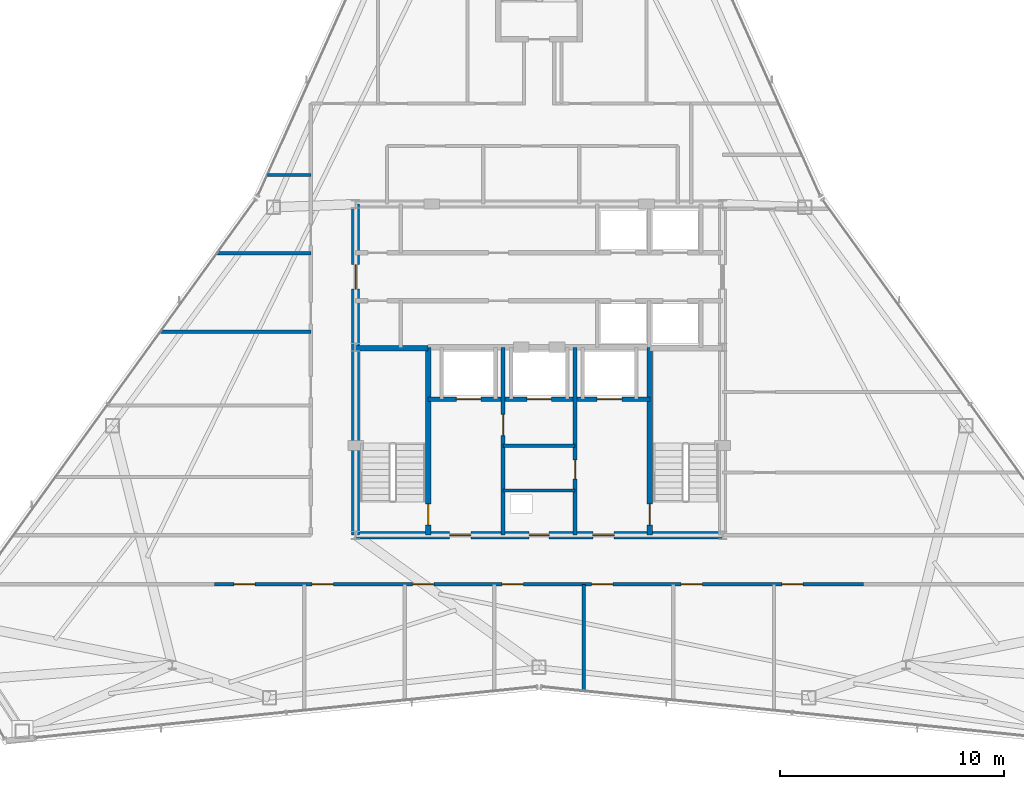
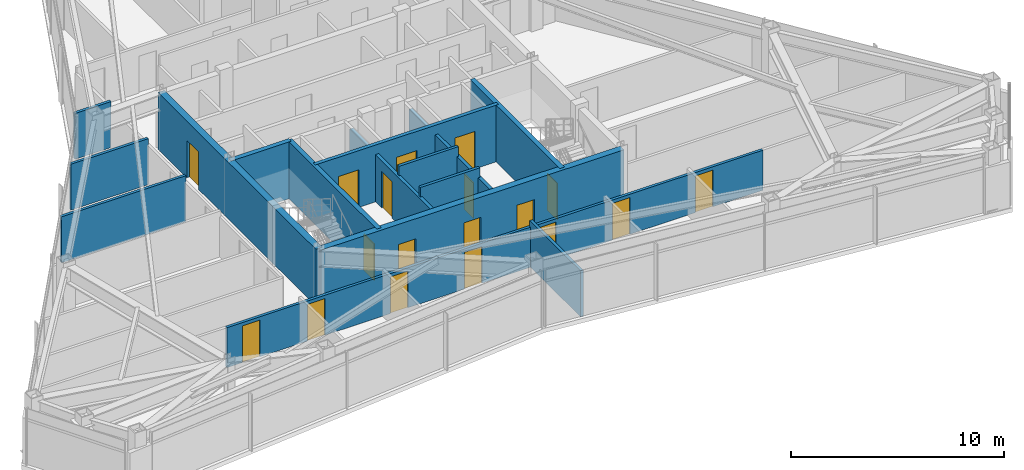
# One storey, part 9 of 12: 18 doors, 15 walls, 18 openings.
"""IFC4 building model written with IfcOpenShell, lengths in metres."""

from ifc_helpers import new_model, si_unit, direction, frame, frame_2d, origin, place, context, subcontext, project, spatial, rectangle, extrude, material, layer, layer_set, type_object, element, fill, save


model = new_model("IFC4")

# Units and contexts
model_context = context("Model", 3, precision=1e-05, world=origin(), true_north=direction((0.0, 1.0)))
body_context = subcontext(model_context, "Body", "Model", "MODEL_VIEW")
ifc_project = project(units=[si_unit("LENGTHUNIT", "METRE"), si_unit("AREAUNIT", "SQUARE_METRE"), si_unit("VOLUMEUNIT", "CUBIC_METRE"), si_unit("PLANEANGLEUNIT", "RADIAN"), si_unit("MASSUNIT", "GRAM", prefix="KILO")], contexts=[model_context])

# Site, building, storey
site_placement = place(None, origin())
site = spatial("IfcSite", under=ifc_project, at=site_placement, CompositionType="ELEMENT")
building_placement = place(site_placement, origin())
building = spatial("IfcBuilding", under=site, at=building_placement, Name="Varakhsha Concourse Tower", CompositionType="ELEMENT")
storey_placement = place(building_placement, frame((0.0, 0.0, 255.0)))
storey = spatial("IfcBuildingStorey", under=building, at=storey_placement, Name="L72", CompositionType="ELEMENT", Elevation=255.0)

# Wall, openings, doors
ifc_material_1 = material(Name="Concrete fc 65 MPa", Category="concrete")
ifc_layer_1 = layer(ifc_material_1, 0.35009765625, Name="WL-CORE-350")
ifc_layer_set_1 = layer_set([ifc_layer_1], Name="Concrete fc 65 MPa")
wall_type_1 = type_object("IfcWallType", Name="WL-CORE-350", PredefinedType="SHEAR", material=ifc_layer_set_1)
wall_1_placement = place(storey_placement, frame((31.800048828125, 16.39990234375, 0.0), z_axis=(0.0, 0.0, 1.0), x_axis=(1.0, 0.0, 0.0)))
wall_1 = element("IfcWall", 1, at=wall_1_placement, inside=storey, type_object=wall_type_1, Name="L72 Wall CWALL-S-L72", PredefinedType="SHEAR", context=body_context, shape_type="SweptSolid", body=[
    extrude(rectangle(XDim=16.39990234375, YDim=0.35009765625, at=frame_2d((8.199951171875, 0.0))), origin(), (0.0, 0.0, 1.0), 3.25),
])
opening_1_placement = place(wall_1_placement, frame((7.75, 0.0, 0.0)))
opening_1 = element("IfcOpeningElement", 2, at=opening_1_placement, cuts=wall_1, Name="Opening DF-06", PredefinedType="OPENING", context=body_context, shape_type="SweptSolid", body=[
    extrude(rectangle(XDim=0.89990234375, YDim=2.10009765625, at=frame_2d((0.449951171875, 1.050048828125))), frame((0.0, 0.18505859375, 0.0), z_axis=(0.0, -1.0, 0.0), x_axis=(1.0, 0.0, 0.0)), (0.0, 0.0, 1.0), 0.3701171875),
])
opening_2_placement = place(wall_1_placement, frame((4.199951171875, 0.0, 0.0)))
opening_2 = element("IfcOpeningElement", 3, at=opening_2_placement, cuts=wall_1, Name="Opening DF-05", PredefinedType="OPENING", context=body_context, shape_type="SweptSolid", body=[
    extrude(rectangle(XDim=0.949951171875, YDim=2.10009765625, at=frame_2d((0.47509765625, 1.050048828125))), frame((0.0, 0.18505859375, 0.0), z_axis=(0.0, -1.0, 0.0), x_axis=(1.0, 0.0, 0.0)), (0.0, 0.0, 1.0), 0.3701171875),
])
opening_3_placement = place(wall_1_placement, frame((10.60009765625, 0.0, 0.0)))
opening_3 = element("IfcOpeningElement", 4, at=opening_3_placement, cuts=wall_1, Name="Opening DF-05", PredefinedType="OPENING", context=body_context, shape_type="SweptSolid", body=[
    extrude(rectangle(XDim=0.949951171875, YDim=2.10009765625, at=frame_2d((0.47509765625, 1.050048828125))), frame((0.0, 0.18505859375, 0.0), z_axis=(0.0, -1.0, 0.0), x_axis=(1.0, 0.0, 0.0)), (0.0, 0.0, 1.0), 0.3701171875),
])
ifc_material_2 = material(Name="Hollow Galvanised Steel Fire Door Assembly", Category="steel")
door_type_1 = type_object("IfcDoorType", Name="DR-FD60-900", OperationType="NOTDEFINED", PredefinedType="DOOR", material=ifc_material_2)
door_1_placement = place(opening_1_placement, origin())
door_1 = element("IfcDoor", 5, at=door_1_placement, inside=storey, type_object=door_type_1, Name="L72 Electrical Riser Door", OperationType="SINGLE_SWING_LEFT", OverallHeight=2.10009765625, OverallWidth=0.89990234375, PredefinedType="DOOR", context=body_context, shape_type="SweptSolid", body=[
    extrude(rectangle(XDim=0.89990234375, YDim=2.10009765625, at=frame_2d((0.449951171875, 1.050048828125))), frame((0.0, 0.02490234375, 0.0), z_axis=(0.0, -1.0, 0.0), x_axis=(1.0, 0.0, 0.0)), (0.0, 0.0, 1.0), 0.050048828125),
])
fill(opening_1, door_1)
door_type_2 = type_object("IfcDoorType", Name="DR-FD60-950", OperationType="NOTDEFINED", PredefinedType="DOOR", material=ifc_material_2)
door_2_placement = place(opening_2_placement, origin())
door_2 = element("IfcDoor", 6, at=door_2_placement, inside=storey, type_object=door_type_2, Name="L72 Firefighting Lobby West Door", OperationType="SINGLE_SWING_RIGHT", OverallHeight=2.10009765625, OverallWidth=0.949951171875, PredefinedType="DOOR", context=body_context, shape_type="SweptSolid", body=[
    extrude(rectangle(XDim=0.949951171875, YDim=2.10009765625, at=frame_2d((0.47509765625, 1.050048828125))), frame((0.0, 0.02490234375, 0.0), z_axis=(0.0, -1.0, 0.0), x_axis=(1.0, 0.0, 0.0)), (0.0, 0.0, 1.0), 0.050048828125),
])
fill(opening_2, door_2)
door_3_placement = place(opening_3_placement, origin())
door_3 = element("IfcDoor", 7, at=door_3_placement, inside=storey, type_object=door_type_2, Name="L72 Firefighting Lobby East Door", OperationType="SINGLE_SWING_LEFT", OverallHeight=2.10009765625, OverallWidth=0.949951171875, PredefinedType="DOOR", context=body_context, shape_type="SweptSolid", body=[
    extrude(rectangle(XDim=0.949951171875, YDim=2.10009765625, at=frame_2d((0.47509765625, 1.050048828125))), frame((0.0, 0.02490234375, 0.0), z_axis=(0.0, -1.0, 0.0), x_axis=(1.0, 0.0, 0.0)), (0.0, 0.0, 1.0), 0.050048828125),
])
fill(opening_3, door_3)

# Wall, opening, door
wall_2_placement = place(storey_placement, frame((31.800048828125, 16.39990234375, 0.0), z_axis=(0.0, 0.0, 1.0), x_axis=(0.0, 1.0, 0.0)))
wall_2 = element("IfcWall", 8, at=wall_2_placement, inside=storey, type_object=wall_type_1, Name="L72 Wall CWALL-W-L72", PredefinedType="SHEAR", context=body_context, shape_type="SweptSolid", body=[
    extrude(rectangle(XDim=14.800048828125, YDim=0.35009765625, at=frame_2d((7.39990234375, 0.0))), origin(), (0.0, 0.0, 1.0), 3.25),
])
opening_4_placement = place(wall_2_placement, frame((11.0, 0.0, 0.0)))
opening_4 = element("IfcOpeningElement", 9, at=opening_4_placement, cuts=wall_2, Name="Opening DL-01", PredefinedType="OPENING", context=body_context, shape_type="SweptSolid", body=[
    extrude(rectangle(XDim=1.10009765625, YDim=2.14990234375, at=frame_2d((0.550048828125, 1.074951171875))), frame((0.0, 0.18505859375, 0.0), z_axis=(0.0, -1.0, 0.0), x_axis=(1.0, 0.0, 0.0)), (0.0, 0.0, 1.0), 0.3701171875),
])
ifc_material_3 = material(Name="Anodised Bronze Architectural Aluminium AA 6063-T6", Category="aluminium")
door_type_3 = type_object("IfcDoorType", Name="DR-LOB-1100", OperationType="NOTDEFINED", PredefinedType="DOOR", material=ifc_material_3)
door_4_placement = place(opening_4_placement, origin())
door_4 = element("IfcDoor", 10, at=door_4_placement, inside=storey, type_object=door_type_3, Name="L72 Lift Lobby West Concourse Door", OperationType="SINGLE_SWING_LEFT", OverallHeight=2.14990234375, OverallWidth=1.10009765625, PredefinedType="DOOR", context=body_context, shape_type="SweptSolid", body=[
    extrude(rectangle(XDim=1.10009765625, YDim=2.14990234375, at=frame_2d((0.550048828125, 1.074951171875))), frame((0.0, 0.02490234375, 0.0), z_axis=(0.0, -1.0, 0.0), x_axis=(1.0, 0.0, 0.0)), (0.0, 0.0, 1.0), 0.050048828125),
])
fill(opening_4, door_4)

ifc_material_4 = material(Name="Fire-Rated Type X Gypsum Partition Assembly", Category="gypsum")
ifc_layer_2 = layer(ifc_material_4, 0.179931640625, Name="WL-FFLOB-180")
ifc_layer_set_2 = layer_set([ifc_layer_2], Name="Fire-Rated Type X Gypsum Partition Assembly")
wall_type_2 = type_object("IfcWallType", Name="WL-FFLOB-180", PredefinedType="PARTITIONING", material=ifc_layer_set_2)
wall_3_placement = place(storey_placement, frame((38.389892578125, 16.39990234375, 0.0), z_axis=(0.0, 0.0, 1.0), x_axis=(0.0, 1.0, 0.0)))
wall_3 = element("IfcWall", 11, at=wall_3_placement, inside=storey, type_object=wall_type_2, Name="L72 Wall FFW-1E-L72", PredefinedType="PARTITIONING", context=body_context, shape_type="SweptSolid", body=[
    extrude(rectangle(XDim=8.400146484375, YDim=0.179931640625, at=frame_2d((4.2001953125, 0.0))), origin(), (0.0, 0.0, 1.0), 2.705078125),
])
opening_5_placement = place(wall_3_placement, frame((4.449951171875, 0.0, 0.0)))
opening_5 = element("IfcOpeningElement", 12, at=opening_5_placement, cuts=wall_3, Name="Opening DF-05", PredefinedType="OPENING", context=body_context, shape_type="SweptSolid", body=[
    extrude(rectangle(XDim=0.949951171875, YDim=2.10009765625, at=frame_2d((0.47509765625, 1.050048828125))), frame((0.0, 0.099853515625, 0.0), z_axis=(0.0, -1.0, 0.0), x_axis=(1.0, 0.0, 0.0)), (0.0, 0.0, 1.0), 0.199951171875),
])
door_5_placement = place(opening_5_placement, origin())
door_5 = element("IfcDoor", 13, at=door_5_placement, inside=storey, type_object=door_type_2, Name="L72 Service Vestibule Door", OperationType="SINGLE_SWING_RIGHT", OverallHeight=2.10009765625, OverallWidth=0.949951171875, PredefinedType="DOOR", context=body_context, shape_type="SweptSolid", body=[
    extrude(rectangle(XDim=0.949951171875, YDim=2.10009765625, at=frame_2d((0.47509765625, 1.050048828125))), frame((0.0, 0.02490234375, 0.0), z_axis=(0.0, -1.0, 0.0), x_axis=(1.0, 0.0, 0.0)), (0.0, 0.0, 1.0), 0.050048828125),
])
fill(opening_5, door_5)

wall_4_placement = place(storey_placement, frame((41.610107421875, 16.39990234375, 0.0), z_axis=(0.0, 0.0, 1.0), x_axis=(0.0, 1.0, 0.0)))
wall_4 = element("IfcWall", 14, at=wall_4_placement, inside=storey, type_object=wall_type_2, Name="L72 Wall FFW-2W-L72", PredefinedType="PARTITIONING", context=body_context, shape_type="SweptSolid", body=[
    extrude(rectangle(XDim=8.400146484375, YDim=0.179931640625, at=frame_2d((4.2001953125, 0.0))), origin(), (0.0, 0.0, 1.0), 2.705078125),
])
opening_6_placement = place(wall_4_placement, frame((2.5, 0.0, 0.0)))
opening_6 = element("IfcOpeningElement", 15, at=opening_6_placement, cuts=wall_4, Name="Opening DF-07", PredefinedType="OPENING", context=body_context, shape_type="SweptSolid", body=[
    extrude(rectangle(XDim=0.85009765625, YDim=2.050048828125, at=frame_2d((0.425048828125, 1.02490234375))), frame((0.0, 0.099853515625, 0.0), z_axis=(0.0, -1.0, 0.0), x_axis=(1.0, 0.0, 0.0)), (0.0, 0.0, 1.0), 0.199951171875),
])
door_type_4 = type_object("IfcDoorType", Name="DR-FD60-850", OperationType="NOTDEFINED", PredefinedType="DOOR", material=ifc_material_2)
door_6_placement = place(opening_6_placement, origin())
door_6 = element("IfcDoor", 16, at=door_6_placement, inside=storey, type_object=door_type_4, Name="L72 Telecoms Node Door", OperationType="SINGLE_SWING_LEFT", OverallHeight=2.050048828125, OverallWidth=0.85009765625, PredefinedType="DOOR", context=body_context, shape_type="SweptSolid", body=[
    extrude(rectangle(XDim=0.85009765625, YDim=2.050048828125, at=frame_2d((0.425048828125, 1.02490234375))), frame((0.0, 0.02490234375, 0.0), z_axis=(0.0, -1.0, 0.0), x_axis=(1.0, 0.0, 0.0)), (0.0, 0.0, 1.0), 0.050048828125),
])
fill(opening_6, door_6)

# Walls
ifc_layer_3 = layer(ifc_material_4, 0.14990234375, Name="WL-PART-150")
ifc_layer_set_3 = layer_set([ifc_layer_3], Name="Fire-Rated Type X Gypsum Partition Assembly")
wall_type_3 = type_object("IfcWallType", Name="WL-PART-150", PredefinedType="PARTITIONING", material=ifc_layer_set_3)
for number, where, z_axis, x_axis, name in (
    (17, (38.389892578125, 18.39990234375, 0.0), (0.0, 0.0, 1.0), (1.0, 0.0, 0.0), "L72 Wall RSW-H1-L72"),
    (18, (38.389892578125, 20.39990234375, 0.0), (0.0, 0.0, 1.0), (1.0, 0.0, 0.0), "L72 Wall RSW-H2-L72"),
):
    element("IfcWall", number, at=place(storey_placement, frame(where, z_axis=z_axis, x_axis=x_axis)), inside=storey, type_object=wall_type_3, Name=name, PredefinedType="PARTITIONING", context=body_context, shape_type="SweptSolid", body=[
        extrude(rectangle(XDim=3.22021484375, YDim=0.14990234375, at=frame_2d((1.610107421875, 0.0))), origin(), (0.0, 0.0, 1.0), 3.25),
    ])

# Wall, openings, doors
wall_5_placement = place(storey_placement, frame((25.5, 14.199951171875, 0.0), z_axis=(0.0, 0.0, 1.0), x_axis=(1.0, 0.0, 0.0)))
wall_5 = element("IfcWall", 19, at=wall_5_placement, inside=storey, type_object=wall_type_3, Name="L72 Wall CRW-S-DOOR-L72", PredefinedType="PARTITIONING", context=body_context, shape_type="SweptSolid", body=[
    extrude(rectangle(XDim=29.0, YDim=0.14990234375, at=frame_2d((14.5, 0.0))), origin(), (0.0, 0.0, 1.0), 2.2919921875),
])
opening_7_placement = place(wall_5_placement, frame((0.85009765625, 0.0, 0.0)))
opening_7 = element("IfcOpeningElement", 20, at=opening_7_placement, cuts=wall_5, Name="Opening DF-05", PredefinedType="OPENING", context=body_context, shape_type="SweptSolid", body=[
    extrude(rectangle(XDim=0.949951171875, YDim=2.10009765625, at=frame_2d((0.47509765625, 1.050048828125))), frame((0.0, 0.0849609375, 0.0), z_axis=(0.0, -1.0, 0.0), x_axis=(1.0, 0.0, 0.0)), (0.0, 0.0, 1.0), 0.169921875),
])
opening_8_placement = place(wall_5_placement, frame((4.35009765625, 0.0, 0.0)))
opening_8 = element("IfcOpeningElement", 21, at=opening_8_placement, cuts=wall_5, Name="Opening DF-05", PredefinedType="OPENING", context=body_context, shape_type="SweptSolid", body=[
    extrude(rectangle(XDim=0.949951171875, YDim=2.10009765625, at=frame_2d((0.47509765625, 1.050048828125))), frame((0.0, 0.0849609375, 0.0), z_axis=(0.0, -1.0, 0.0), x_axis=(1.0, 0.0, 0.0)), (0.0, 0.0, 1.0), 0.169921875),
])
opening_9_placement = place(wall_5_placement, frame((8.85009765625, 0.0, 0.0)))
opening_9 = element("IfcOpeningElement", 22, at=opening_9_placement, cuts=wall_5, Name="Opening DF-05", PredefinedType="OPENING", context=body_context, shape_type="SweptSolid", body=[
    extrude(rectangle(XDim=0.949951171875, YDim=2.10009765625, at=frame_2d((0.47509765625, 1.050048828125))), frame((0.0, 0.0849609375, 0.0), z_axis=(0.0, -1.0, 0.0), x_axis=(1.0, 0.0, 0.0)), (0.0, 0.0, 1.0), 0.169921875),
])
opening_10_placement = place(wall_5_placement, frame((12.85009765625, 0.0, 0.0)))
opening_10 = element("IfcOpeningElement", 23, at=opening_10_placement, cuts=wall_5, Name="Opening DF-05", PredefinedType="OPENING", context=body_context, shape_type="SweptSolid", body=[
    extrude(rectangle(XDim=0.949951171875, YDim=2.10009765625, at=frame_2d((0.47509765625, 1.050048828125))), frame((0.0, 0.0849609375, 0.0), z_axis=(0.0, -1.0, 0.0), x_axis=(1.0, 0.0, 0.0)), (0.0, 0.0, 1.0), 0.169921875),
])
opening_11_placement = place(wall_5_placement, frame((16.85009765625, 0.0, 0.0)))
opening_11 = element("IfcOpeningElement", 24, at=opening_11_placement, cuts=wall_5, Name="Opening DF-05", PredefinedType="OPENING", context=body_context, shape_type="SweptSolid", body=[
    extrude(rectangle(XDim=0.949951171875, YDim=2.10009765625, at=frame_2d((0.47509765625, 1.050048828125))), frame((0.0, 0.0849609375, 0.0), z_axis=(0.0, -1.0, 0.0), x_axis=(1.0, 0.0, 0.0)), (0.0, 0.0, 1.0), 0.169921875),
])
opening_12_placement = place(wall_5_placement, frame((20.85009765625, 0.0, 0.0)))
opening_12 = element("IfcOpeningElement", 25, at=opening_12_placement, cuts=wall_5, Name="Opening DF-05", PredefinedType="OPENING", context=body_context, shape_type="SweptSolid", body=[
    extrude(rectangle(XDim=0.949951171875, YDim=2.10009765625, at=frame_2d((0.47509765625, 1.050048828125))), frame((0.0, 0.0849609375, 0.0), z_axis=(0.0, -1.0, 0.0), x_axis=(1.0, 0.0, 0.0)), (0.0, 0.0, 1.0), 0.169921875),
])
opening_13_placement = place(wall_5_placement, frame((25.35009765625, 0.0, 0.0)))
opening_13 = element("IfcOpeningElement", 26, at=opening_13_placement, cuts=wall_5, Name="Opening DF-05", PredefinedType="OPENING", context=body_context, shape_type="SweptSolid", body=[
    extrude(rectangle(XDim=0.949951171875, YDim=2.10009765625, at=frame_2d((0.47509765625, 1.050048828125))), frame((0.0, 0.0849609375, 0.0), z_axis=(0.0, -1.0, 0.0), x_axis=(1.0, 0.0, 0.0)), (0.0, 0.0, 1.0), 0.169921875),
])
door_7_placement = place(opening_7_placement, origin())
door_7 = element("IfcDoor", 27, at=door_7_placement, inside=storey, type_object=door_type_2, Name="L72 BIM Coordination Workroom L72-S1 Door", OperationType="SINGLE_SWING_LEFT", OverallHeight=2.10009765625, OverallWidth=0.949951171875, PredefinedType="DOOR", context=body_context, shape_type="SweptSolid", body=[
    extrude(rectangle(XDim=0.949951171875, YDim=2.10009765625, at=frame_2d((0.47509765625, 1.050048828125))), frame((0.0, 0.02490234375, 0.0), z_axis=(0.0, -1.0, 0.0), x_axis=(1.0, 0.0, 0.0)), (0.0, 0.0, 1.0), 0.050048828125),
])
fill(opening_7, door_7)
door_8_placement = place(opening_8_placement, origin())
door_8 = element("IfcDoor", 28, at=door_8_placement, inside=storey, type_object=door_type_2, Name="L72 Dry R&D Design Lab L72-S2 Door", OperationType="SINGLE_SWING_RIGHT", OverallHeight=2.10009765625, OverallWidth=0.949951171875, PredefinedType="DOOR", context=body_context, shape_type="SweptSolid", body=[
    extrude(rectangle(XDim=0.949951171875, YDim=2.10009765625, at=frame_2d((0.47509765625, 1.050048828125))), frame((0.0, 0.02490234375, 0.0), z_axis=(0.0, -1.0, 0.0), x_axis=(1.0, 0.0, 0.0)), (0.0, 0.0, 1.0), 0.050048828125),
])
fill(opening_8, door_8)
door_9_placement = place(opening_9_placement, origin())
door_9 = element("IfcDoor", 29, at=door_9_placement, inside=storey, type_object=door_type_2, Name="L72 Dry R&D Design Lab L72-S3 Door", OperationType="SINGLE_SWING_LEFT", OverallHeight=2.10009765625, OverallWidth=0.949951171875, PredefinedType="DOOR", context=body_context, shape_type="SweptSolid", body=[
    extrude(rectangle(XDim=0.949951171875, YDim=2.10009765625, at=frame_2d((0.47509765625, 1.050048828125))), frame((0.0, 0.02490234375, 0.0), z_axis=(0.0, -1.0, 0.0), x_axis=(1.0, 0.0, 0.0)), (0.0, 0.0, 1.0), 0.050048828125),
])
fill(opening_9, door_9)
door_10_placement = place(opening_10_placement, origin())
door_10 = element("IfcDoor", 30, at=door_10_placement, inside=storey, type_object=door_type_2, Name="L72 Dry R&D Design Lab L72-S4 Door", OperationType="SINGLE_SWING_RIGHT", OverallHeight=2.10009765625, OverallWidth=0.949951171875, PredefinedType="DOOR", context=body_context, shape_type="SweptSolid", body=[
    extrude(rectangle(XDim=0.949951171875, YDim=2.10009765625, at=frame_2d((0.47509765625, 1.050048828125))), frame((0.0, 0.02490234375, 0.0), z_axis=(0.0, -1.0, 0.0), x_axis=(1.0, 0.0, 0.0)), (0.0, 0.0, 1.0), 0.050048828125),
])
fill(opening_10, door_10)
door_11_placement = place(opening_11_placement, origin())
door_11 = element("IfcDoor", 31, at=door_11_placement, inside=storey, type_object=door_type_2, Name="L72 Dry R&D Design Lab L72-S5 Door", OperationType="SINGLE_SWING_LEFT", OverallHeight=2.10009765625, OverallWidth=0.949951171875, PredefinedType="DOOR", context=body_context, shape_type="SweptSolid", body=[
    extrude(rectangle(XDim=0.949951171875, YDim=2.10009765625, at=frame_2d((0.47509765625, 1.050048828125))), frame((0.0, 0.02490234375, 0.0), z_axis=(0.0, -1.0, 0.0), x_axis=(1.0, 0.0, 0.0)), (0.0, 0.0, 1.0), 0.050048828125),
])
fill(opening_11, door_11)
door_12_placement = place(opening_12_placement, origin())
door_12 = element("IfcDoor", 32, at=door_12_placement, inside=storey, type_object=door_type_2, Name="L72 Dry R&D Design Lab L72-S6 Door", OperationType="SINGLE_SWING_RIGHT", OverallHeight=2.10009765625, OverallWidth=0.949951171875, PredefinedType="DOOR", context=body_context, shape_type="SweptSolid", body=[
    extrude(rectangle(XDim=0.949951171875, YDim=2.10009765625, at=frame_2d((0.47509765625, 1.050048828125))), frame((0.0, 0.02490234375, 0.0), z_axis=(0.0, -1.0, 0.0), x_axis=(1.0, 0.0, 0.0)), (0.0, 0.0, 1.0), 0.050048828125),
])
fill(opening_12, door_12)
door_13_placement = place(opening_13_placement, origin())
door_13 = element("IfcDoor", 33, at=door_13_placement, inside=storey, type_object=door_type_2, Name="L72 Dry R&D Design Lab L72-S7 Door", OperationType="SINGLE_SWING_LEFT", OverallHeight=2.10009765625, OverallWidth=0.949951171875, PredefinedType="DOOR", context=body_context, shape_type="SweptSolid", body=[
    extrude(rectangle(XDim=0.949951171875, YDim=2.10009765625, at=frame_2d((0.47509765625, 1.050048828125))), frame((0.0, 0.02490234375, 0.0), z_axis=(0.0, -1.0, 0.0), x_axis=(1.0, 0.0, 0.0)), (0.0, 0.0, 1.0), 0.050048828125),
])
fill(opening_13, door_13)

# Walls
wall_6_placement = place(storey_placement, frame((42.0, 9.438720703125, 0.0), z_axis=(0.0, 0.0, 1.0), x_axis=(0.0, 1.0, 0.0)))
element("IfcWall", 34, at=wall_6_placement, inside=storey, type_object=wall_type_3, Name="L72 Wall ODIV-S4-L72", PredefinedType="PARTITIONING", context=body_context, shape_type="SweptSolid", body=[
    extrude(rectangle(XDim=4.76123046875, YDim=0.14990234375, at=frame_2d((2.380615234375, 0.0))), origin(), (0.0, 0.0, 1.0), 2.6279296875),
])
wall_7_placement = place(storey_placement, frame((23.078369140625, 25.5, 0.0), z_axis=(0.0, 0.0, 1.0), x_axis=(1.0, 0.0, 0.0)))
element("IfcWall", 35, at=wall_7_placement, inside=storey, type_object=wall_type_3, Name="L72 Wall ODIV-W3-L72", PredefinedType="PARTITIONING", context=body_context, shape_type="SweptSolid", body=[
    extrude(rectangle(XDim=6.7216796875, YDim=0.14990234375, at=frame_2d((3.36083984375, 0.0))), origin(), (0.0, 0.0, 1.0), 2.6279296875),
])
wall_8_placement = place(storey_placement, frame((25.604248046875, 29.0, 0.0), z_axis=(0.0, 0.0, 1.0), x_axis=(1.0, 0.0, 0.0)))
element("IfcWall", 36, at=wall_8_placement, inside=storey, type_object=wall_type_3, Name="L72 Wall ODIV-W4-L72", PredefinedType="PARTITIONING", context=body_context, shape_type="SweptSolid", body=[
    extrude(rectangle(XDim=4.19580078125, YDim=0.14990234375, at=frame_2d((2.097900390625, 0.0))), origin(), (0.0, 0.0, 1.0), 2.6279296875),
])
wall_9_placement = place(storey_placement, frame((27.8515625, 32.5, 0.0), z_axis=(0.0, 0.0, 1.0), x_axis=(1.0, 0.0, 0.0)))
element("IfcWall", 37, at=wall_9_placement, inside=storey, type_object=wall_type_3, Name="L72 Wall ODIV-W5-L72", PredefinedType="PARTITIONING", context=body_context, shape_type="SweptSolid", body=[
    extrude(rectangle(XDim=1.948486328125, YDim=0.14990234375, at=frame_2d((0.97412109375, 0.0))), origin(), (0.0, 0.0, 1.0), 2.6279296875),
])

# Wall, openings, doors
ifc_layer_4 = layer(ifc_material_4, 0.199951171875, Name="WL-SHAFT-220")
ifc_layer_set_4 = layer_set([ifc_layer_4], Name="Fire-Rated Type X Gypsum Partition Assembly")
wall_type_4 = type_object("IfcWallType", Name="WL-SHAFT-220", PredefinedType="SOLIDWALL", material=ifc_layer_set_4)
wall_10_placement = place(storey_placement, frame((35.044921875, 22.47998046875, 0.0), z_axis=(0.0, 0.0, 1.0), x_axis=(1.0, 0.0, 0.0)))
wall_10 = element("IfcWall", 38, at=wall_10_placement, inside=storey, type_object=wall_type_4, Name="L72 Wall FFW-NH-L72", PredefinedType="SOLIDWALL", context=body_context, shape_type="SweptSolid", body=[
    extrude(rectangle(XDim=9.91015625, YDim=0.199951171875, at=frame_2d((4.955078125, 0.0))), origin(), (0.0, 0.0, 1.0), 3.25),
])
opening_14_placement = place(wall_10_placement, frame((1.2548828125, 0.0, 0.0)))
opening_14 = element("IfcOpeningElement", 39, at=opening_14_placement, cuts=wall_10, Name="Opening LD-FFL-1", PredefinedType="OPENING", context=body_context, shape_type="SweptSolid", body=[
    extrude(rectangle(XDim=1.10009765625, YDim=2.14990234375, at=frame_2d((0.550048828125, 1.074951171875))), frame((0.0, 0.10986328125, 0.0), z_axis=(0.0, -1.0, 0.0), x_axis=(1.0, 0.0, 0.0)), (0.0, 0.0, 1.0), 0.219970703125),
])
opening_15_placement = place(wall_10_placement, frame((7.554931640625, 0.0, 0.0)))
opening_15 = element("IfcOpeningElement", 40, at=opening_15_placement, cuts=wall_10, Name="Opening LD-FFL-2", PredefinedType="OPENING", context=body_context, shape_type="SweptSolid", body=[
    extrude(rectangle(XDim=1.10009765625, YDim=2.14990234375, at=frame_2d((0.550048828125, 1.074951171875))), frame((0.0, 0.10986328125, 0.0), z_axis=(0.0, -1.0, 0.0), x_axis=(1.0, 0.0, 0.0)), (0.0, 0.0, 1.0), 0.219970703125),
])
opening_16_placement = place(wall_10_placement, frame((4.405029296875, 0.0, 0.0)))
opening_16 = element("IfcOpeningElement", 41, at=opening_16_placement, cuts=wall_10, Name="Opening LD-SVL-1", PredefinedType="OPENING", context=body_context, shape_type="SweptSolid", body=[
    extrude(rectangle(XDim=1.10009765625, YDim=2.14990234375, at=frame_2d((0.550048828125, 1.074951171875))), frame((0.0, 0.10986328125, 0.0), z_axis=(0.0, -1.0, 0.0), x_axis=(1.0, 0.0, 0.0)), (0.0, 0.0, 1.0), 0.219970703125),
])
ifc_material_5 = material(Name="Brushed Austenitic Stainless Steel AISI 316", Category="steel")
door_type_5 = type_object("IfcDoorType", Name="DR-LD-1100", OperationType="DOUBLE_DOOR_SLIDING", PredefinedType="DOOR", material=ifc_material_5)
door_14_placement = place(opening_14_placement, origin())
door_14 = element("IfcDoor", 42, at=door_14_placement, inside=storey, type_object=door_type_5, Name="Lift Landing Door FFL-1 L72", OperationType="DOUBLE_DOOR_SLIDING", OverallHeight=2.14990234375, OverallWidth=1.10009765625, PredefinedType="DOOR", context=body_context, shape_type="SweptSolid", body=[
    extrude(rectangle(XDim=1.10009765625, YDim=2.14990234375, at=frame_2d((0.550048828125, 1.074951171875))), frame((0.0, 0.02490234375, 0.0), z_axis=(0.0, -1.0, 0.0), x_axis=(1.0, 0.0, 0.0)), (0.0, 0.0, 1.0), 0.050048828125),
])
fill(opening_14, door_14)
door_15_placement = place(opening_15_placement, origin())
door_15 = element("IfcDoor", 43, at=door_15_placement, inside=storey, type_object=door_type_5, Name="Lift Landing Door FFL-2 L72", OperationType="DOUBLE_DOOR_SLIDING", OverallHeight=2.14990234375, OverallWidth=1.10009765625, PredefinedType="DOOR", context=body_context, shape_type="SweptSolid", body=[
    extrude(rectangle(XDim=1.10009765625, YDim=2.14990234375, at=frame_2d((0.550048828125, 1.074951171875))), frame((0.0, 0.02490234375, 0.0), z_axis=(0.0, -1.0, 0.0), x_axis=(1.0, 0.0, 0.0)), (0.0, 0.0, 1.0), 0.050048828125),
])
fill(opening_15, door_15)
door_16_placement = place(opening_16_placement, origin())
door_16 = element("IfcDoor", 44, at=door_16_placement, inside=storey, type_object=door_type_5, Name="Lift Landing Door SVL-1 L72", OperationType="DOUBLE_DOOR_SLIDING", OverallHeight=2.14990234375, OverallWidth=1.10009765625, PredefinedType="DOOR", context=body_context, shape_type="SweptSolid", body=[
    extrude(rectangle(XDim=1.10009765625, YDim=2.14990234375, at=frame_2d((0.550048828125, 1.074951171875))), frame((0.0, 0.02490234375, 0.0), z_axis=(0.0, -1.0, 0.0), x_axis=(1.0, 0.0, 0.0)), (0.0, 0.0, 1.0), 0.050048828125),
])
fill(opening_16, door_16)

# Wall, opening, door
ifc_material_6 = material(Name="Concrete fc 45 MPa", Category="concrete")
ifc_layer_5 = layer(ifc_material_6, 0.25, Name="WL-STAIR-250")
ifc_layer_set_5 = layer_set([ifc_layer_5], Name="Concrete fc 45 MPa")
wall_type_5 = type_object("IfcWallType", Name="WL-STAIR-250", PredefinedType="SHEAR", material=ifc_layer_set_5)
wall_11_placement = place(storey_placement, frame((35.044921875, 16.39990234375, 0.0), z_axis=(0.0, 0.0, 1.0), x_axis=(0.0, 1.0, 0.0)))
wall_11 = element("IfcWall", 45, at=wall_11_placement, inside=storey, type_object=wall_type_5, Name="L72 Wall SWALL-ST1-E-L72", PredefinedType="SHEAR", context=body_context, shape_type="SweptSolid", body=[
    extrude(rectangle(XDim=8.400146484375, YDim=0.25, at=frame_2d((4.2001953125, 0.0))), origin(), (0.0, 0.0, 1.0), 3.25),
])
opening_17_placement = place(wall_11_placement, frame((0.449951171875, 0.0, 0.0)))
opening_17 = element("IfcOpeningElement", 46, at=opening_17_placement, cuts=wall_11, Name="Opening DF-03", PredefinedType="OPENING", context=body_context, shape_type="SweptSolid", body=[
    extrude(rectangle(XDim=0.949951171875, YDim=2.10009765625, at=frame_2d((0.47509765625, 1.050048828125))), frame((0.0, 0.135009765625, 0.0), z_axis=(0.0, -1.0, 0.0), x_axis=(1.0, 0.0, 0.0)), (0.0, 0.0, 1.0), 0.27001953125),
])
door_type_6 = type_object("IfcDoorType", Name="DR-FD90-950", OperationType="NOTDEFINED", PredefinedType="DOOR", material=ifc_material_2)
door_17_placement = place(opening_17_placement, origin())
door_17 = element("IfcDoor", 47, at=door_17_placement, inside=storey, type_object=door_type_6, Name="L72 Stair ST1 Fire Door", OperationType="SINGLE_SWING_LEFT", OverallHeight=2.10009765625, OverallWidth=0.949951171875, PredefinedType="DOOR", context=body_context, shape_type="SweptSolid", body=[
    extrude(rectangle(XDim=0.949951171875, YDim=2.10009765625, at=frame_2d((0.47509765625, 1.050048828125))), frame((0.0, 0.02490234375, 0.0), z_axis=(0.0, -1.0, 0.0), x_axis=(1.0, 0.0, 0.0)), (0.0, 0.0, 1.0), 0.050048828125),
])
fill(opening_17, door_17)

# Wall
wall_12_placement = place(storey_placement, frame((31.800048828125, 24.7548828125, 0.0), z_axis=(0.0, 0.0, 1.0), x_axis=(1.0, 0.0, 0.0)))
element("IfcWall", 48, at=wall_12_placement, inside=storey, type_object=wall_type_5, Name="L72 Wall SWALL-ST1-N-L72", PredefinedType="SHEAR", context=body_context, shape_type="SweptSolid", body=[
    extrude(rectangle(XDim=3.244873046875, YDim=0.25, at=frame_2d((1.62255859375, 0.0))), origin(), (0.0, 0.0, 1.0), 3.25),
])

# Wall, opening, door
wall_13_placement = place(storey_placement, frame((44.955078125, 16.39990234375, 0.0), z_axis=(0.0, 0.0, 1.0), x_axis=(0.0, 1.0, 0.0)))
wall_13 = element("IfcWall", 49, at=wall_13_placement, inside=storey, type_object=wall_type_5, Name="L72 Wall SWALL-ST2-W-L72", PredefinedType="SHEAR", context=body_context, shape_type="SweptSolid", body=[
    extrude(rectangle(XDim=8.400146484375, YDim=0.25, at=frame_2d((4.2001953125, 0.0))), origin(), (0.0, 0.0, 1.0), 3.25),
])
opening_18_placement = place(wall_13_placement, frame((0.449951171875, 0.0, 0.0)))
opening_18 = element("IfcOpeningElement", 50, at=opening_18_placement, cuts=wall_13, Name="Opening DF-03", PredefinedType="OPENING", context=body_context, shape_type="SweptSolid", body=[
    extrude(rectangle(XDim=0.949951171875, YDim=2.10009765625, at=frame_2d((0.47509765625, 1.050048828125))), frame((0.0, 0.135009765625, 0.0), z_axis=(0.0, -1.0, 0.0), x_axis=(1.0, 0.0, 0.0)), (0.0, 0.0, 1.0), 0.27001953125),
])
door_18_placement = place(opening_18_placement, origin())
door_18 = element("IfcDoor", 51, at=door_18_placement, inside=storey, type_object=door_type_6, Name="L72 Stair ST2 Fire Door", OperationType="SINGLE_SWING_RIGHT", OverallHeight=2.10009765625, OverallWidth=0.949951171875, PredefinedType="DOOR", context=body_context, shape_type="SweptSolid", body=[
    extrude(rectangle(XDim=0.949951171875, YDim=2.10009765625, at=frame_2d((0.47509765625, 1.050048828125))), frame((0.0, 0.02490234375, 0.0), z_axis=(0.0, -1.0, 0.0), x_axis=(1.0, 0.0, 0.0)), (0.0, 0.0, 1.0), 0.050048828125),
])
fill(opening_18, door_18)

save(model, "model.ifc")
